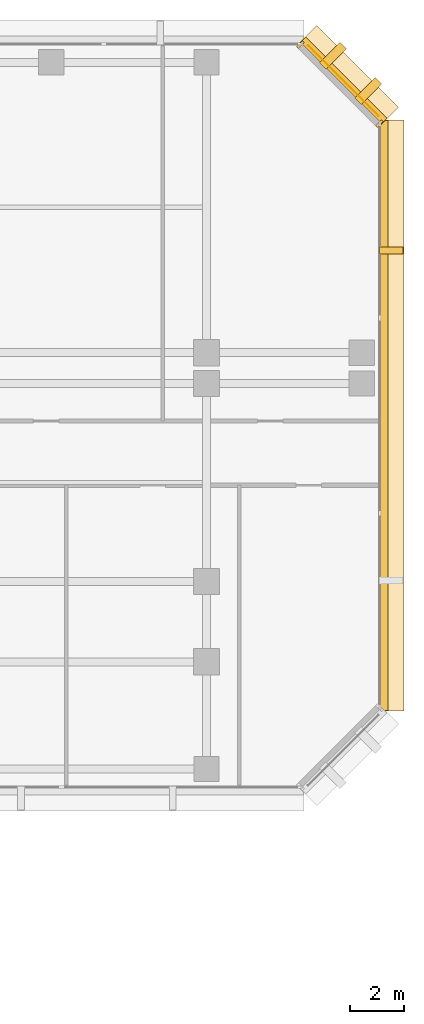
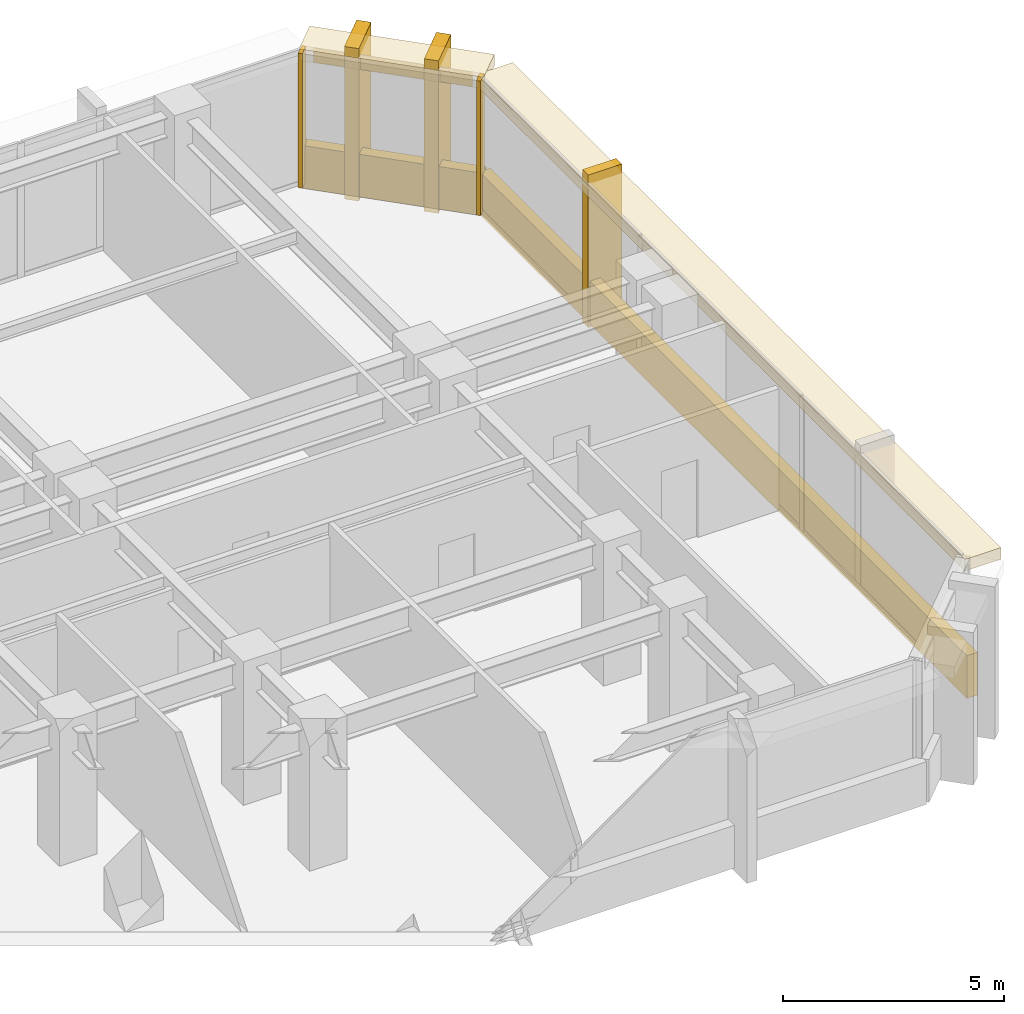
# One storey, part 13 of 13: 10 coverings.
"""IFC4 building model written with IfcOpenShell, lengths in metres."""

from ifc_helpers import new_model, si_unit, direction, frame, origin, origin_2d, place, context, subcontext, project, spatial, rectangle, extrude, material, layer, layer_set, type_object, element, save


model = new_model("IFC4")

# Units and contexts
model_context = context("Model", 3, precision=1e-05, world=origin(), true_north=direction((0.0, 1.0)))
body_context = subcontext(model_context, "Body", "Model", "MODEL_VIEW")
ifc_project = project(units=[si_unit("LENGTHUNIT", "METRE"), si_unit("AREAUNIT", "SQUARE_METRE"), si_unit("VOLUMEUNIT", "CUBIC_METRE"), si_unit("PLANEANGLEUNIT", "RADIAN"), si_unit("MASSUNIT", "GRAM", prefix="KILO")], contexts=[model_context])

# Site, building, storey
site_placement = place(None, origin())
site = spatial("IfcSite", under=ifc_project, at=site_placement, CompositionType="ELEMENT")
building_placement = place(site_placement, origin())
building = spatial("IfcBuilding", under=site, at=building_placement, Name="Kefirva Bronze Tower", CompositionType="ELEMENT")
storey_placement = place(building_placement, frame((0.0, 0.0, 62.0400390625)))
storey = spatial("IfcBuildingStorey", under=building, at=storey_placement, Name="L14", CompositionType="ELEMENT", Elevation=62.0400390625)

# Coverings
ifc_material = material(Name="Bronze anodised aluminium", Category="aluminium")
ifc_layer_1 = layer(ifc_material, 0.02001953125, Name="Bronze anodised aluminium")
ifc_layer_set_1 = layer_set([ifc_layer_1], Name="Bronze anodised aluminium")
covering_type_1 = type_object("IfcCoveringType", Name="Anodised Bronze Spandrel Cladding 20mm", PredefinedType="CLADDING", material=ifc_layer_set_1)
covering_1_placement = place(storey_placement, frame((56.0400390625, 32.0, -0.16015625), z_axis=(0.0, 0.0, 1.0), x_axis=(0.0, 1.0, 0.0)))
element("IfcCovering", 1, at=covering_1_placement, inside=storey, type_object=covering_type_1, Name="L14 Streamline Horizontal Spandrel Band 6", PredefinedType="CLADDING", context=body_context, shape_type="SweptSolid", body=[
    extrude(rectangle(XDim=22.0400390625, YDim=0.280029296875, at=origin_2d()), origin(), (0.0, 0.0, 1.0), 1.179931640625),
])
covering_2_placement = place(storey_placement, frame((54.507080078125, 44.507080078125, 3.2900390625), z_axis=(0.0, 0.0, 1.0), x_axis=(-0.707106781187, 0.707106781187, 0.0)))
element("IfcCovering", 2, at=covering_2_placement, inside=storey, type_object=covering_type_1, Name="L14 Bronze Spandrel Cladding 5", PredefinedType="CLADDING", context=body_context, shape_type="SweptSolid", body=[
    extrude(rectangle(XDim=3.719482421875, YDim=0.02001953125, at=origin_2d()), origin(), (0.0, 0.0, 1.0), 0.39990234375),
])
for number, where, z_axis, x_axis, name in (
    (3, (55.862060546875, 42.91162109375, 0.0), (0.0, 0.0, 1.0), (-0.707106781187, 0.707106781187, 0.0), "L14 Facade Joint Closure Panel 5S"),
    (4, (52.91162109375, 45.862060546875, 0.0), (0.0, 0.0, 1.0), (-0.707106781187, 0.707106781187, 0.0), "L14 Facade Joint Closure Panel 5E"),
):
    element("IfcCovering", number, at=place(storey_placement, frame(where, z_axis=z_axis, x_axis=x_axis)), inside=storey, type_object=covering_type_1, Name=name, PredefinedType="CLADDING", context=body_context, shape_type="SweptSolid", body=[
        extrude(rectangle(XDim=0.10009765625, YDim=0.320068359375, at=origin_2d()), origin(), (0.0, 0.0, 1.0), 3.7099609375),
    ])
covering_3_placement = place(storey_placement, frame((54.5283203125, 44.5283203125, -0.16015625), z_axis=(0.0, 0.0, 1.0), x_axis=(-0.707106781187, 0.707106781187, 0.0)))
element("IfcCovering", 5, at=covering_3_placement, inside=storey, type_object=covering_type_1, Name="L14 Streamline Horizontal Spandrel Band 7", PredefinedType="CLADDING", context=body_context, shape_type="SweptSolid", body=[
    extrude(rectangle(XDim=4.28271484375, YDim=0.280029296875, at=origin_2d()), origin(), (0.0, 0.0, 1.0), 1.179931640625),
])
ifc_layer_2 = layer(ifc_material, 0.179931640625, Name="Bronze anodised aluminium")
ifc_layer_set_2 = layer_set([ifc_layer_2], Name="Bronze anodised aluminium")
covering_type_2 = type_object("IfcCoveringType", Name="Streamline Bronze Sunshade Eyebrow Cladding 180mm", PredefinedType="CLADDING", material=ifc_layer_set_2)
covering_4_placement = place(storey_placement, frame((56.31005859375, 32.0, 3.39013671875), z_axis=(0.0, 0.0, 1.0), x_axis=(0.0, 1.0, 0.0)))
element("IfcCovering", 6, at=covering_4_placement, inside=storey, type_object=covering_type_2, Name="L14 Streamline Bronze Sunshade Eyebrow 6", PredefinedType="CLADDING", context=body_context, shape_type="SweptSolid", body=[
    extrude(rectangle(XDim=22.080078125, YDim=0.93994140625, at=origin_2d()), origin(), (0.0, 0.0, 1.0), 0.320068359375),
])
covering_5_placement = place(storey_placement, frame((54.71923828125, 44.71923828125, 3.39013671875), z_axis=(0.0, 0.0, 1.0), x_axis=(-0.707106781187, 0.707106781187, 0.0)))
element("IfcCovering", 7, at=covering_5_placement, inside=storey, type_object=covering_type_2, Name="L14 Streamline Bronze Sunshade Eyebrow 7", PredefinedType="CLADDING", context=body_context, shape_type="SweptSolid", body=[
    extrude(rectangle(XDim=4.322509765625, YDim=0.93994140625, at=origin_2d()), origin(), (0.0, 0.0, 1.0), 0.320068359375),
])
ifc_layer_3 = layer(ifc_material, 0.260009765625, Name="Bronze anodised aluminium")
ifc_layer_set_3 = layer_set([ifc_layer_3], Name="Bronze anodised aluminium")
covering_type_3 = type_object("IfcCoveringType", Name="Unbroken Bronze Buttress Fin Cladding 260mm", PredefinedType="CLADDING", material=ifc_layer_set_3)
covering_6_placement = place(storey_placement, frame((56.300048828125, 38.159912109375, -0.25), z_axis=(0.0, 0.0, 1.0), x_axis=(0.0, 1.0, 0.0)))
element("IfcCovering", 8, at=covering_6_placement, inside=storey, type_object=covering_type_3, Name="L14 Unbroken Vertical Bronze Rib Fin 16", PredefinedType="CLADDING", context=body_context, shape_type="SweptSolid", body=[
    extrude(rectangle(XDim=0.260009765625, YDim=0.8798828125, at=origin_2d()), origin(), (0.0, 0.0, 1.0), 4.2099609375),
])
for number, where, z_axis, x_axis, name in (
    (9, (55.44287109375, 44.122802734375, -0.25), (0.0, 0.0, 1.0), (-0.707106781187, 0.707106781187, 0.0), "L14 Chamfered Corner Buttress Fin Cladding 17"),
    (10, (54.122802734375, 45.44287109375, -0.25), (0.0, 0.0, 1.0), (-0.707106781187, 0.707106781187, 0.0), "L14 Chamfered Corner Buttress Fin Cladding 18"),
):
    element("IfcCovering", number, at=place(storey_placement, frame(where, z_axis=z_axis, x_axis=x_axis)), inside=storey, type_object=covering_type_3, Name=name, PredefinedType="CLADDING", context=body_context, shape_type="SweptSolid", body=[
        extrude(rectangle(XDim=0.340087890625, YDim=1.080078125, at=origin_2d()), origin(), (0.0, 0.0, 1.0), 4.2099609375),
    ])

save(model, "model.ifc")
